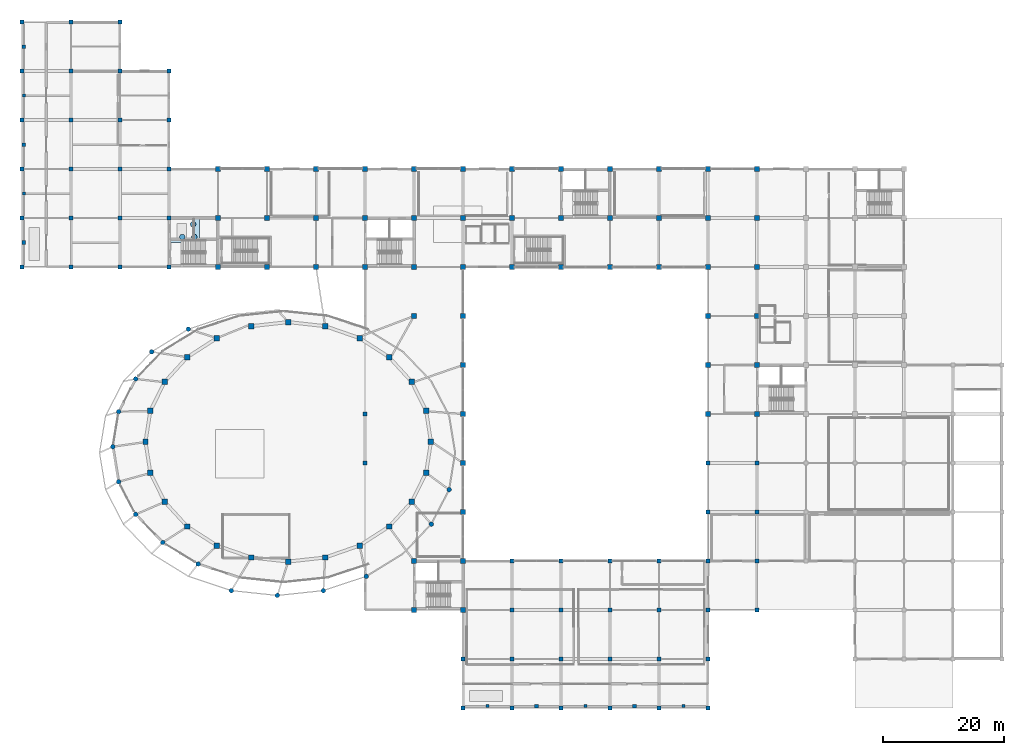
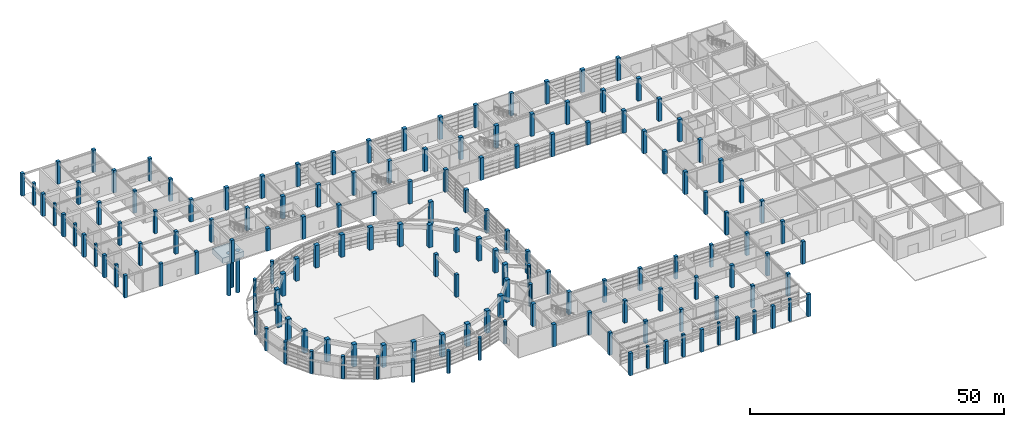
# One storey, part 1 of 52: 154 columns, 3 piles, 1 footing.
"""IFC4 building model written with IfcOpenShell, lengths in metres."""

from ifc_helpers import new_model, si_unit, direction, frame, origin, origin_2d, place, context, subcontext, project, spatial, rectangle, circle, extrude, material, material_profile, profile_set, type_object, element, save


model = new_model("IFC4")

# Units and contexts
model_context = context("Model", 3, precision=1e-05, world=origin(), true_north=direction((0.0, 1.0)))
body_context = subcontext(model_context, "Body", "Model", "MODEL_VIEW")
ifc_project = project(units=[si_unit("LENGTHUNIT", "METRE"), si_unit("AREAUNIT", "SQUARE_METRE"), si_unit("VOLUMEUNIT", "CUBIC_METRE"), si_unit("PLANEANGLEUNIT", "RADIAN"), si_unit("MASSUNIT", "GRAM", prefix="KILO")], contexts=[model_context])

# Site, building, storey
site_placement = place(None, origin())
site = spatial("IfcSite", under=ifc_project, at=site_placement, CompositionType="ELEMENT")
building_placement = place(site_placement, origin())
building = spatial("IfcBuilding", under=site, at=building_placement, Name="Parian Resonance Hall", CompositionType="ELEMENT")
storey_placement = place(building_placement, origin())
storey = spatial("IfcBuildingStorey", under=building, at=storey_placement, Name="L00", CompositionType="ELEMENT", Elevation=0.0)

# Footing
ifc_material_1 = material(Name="Concrete C35/45", Category="concrete")
footing_type = type_object("IfcFootingType", Name="PC-PIT-4800x4000", PredefinedType="PILE_CAP", material=ifc_material_1)
footing_placement = place(storey_placement, frame((26.919921875, 78.925048828125, -3.0), z_axis=(0.0, 0.0, 1.0), x_axis=(1.0, 0.0, 0.0)))
element("IfcFooting", 1, at=footing_placement, inside=storey, type_object=footing_type, Name="Lift pit pile cap K4-1", PredefinedType="PILE_CAP", context=body_context, shape_type="SweptSolid", body=[
    extrude(rectangle(XDim=4.800048828125, YDim=4.0, at=origin_2d()), origin(), (0.0, 0.0, 1.0), 1.300048828125),
])

# Piles
ifc_material_2 = material(Name="Concrete C35/45", Category="concrete")
ifc_material_profile_1 = material_profile(ifc_material_2, circle(Radius=0.449951171875, at=origin_2d()), Name="PILE-D900")
ifc_profile_set_1 = profile_set([ifc_material_profile_1], Name="Concrete C35/45")
pile_type = type_object("IfcPileType", Name="PILE-900", PredefinedType="BORED", material=ifc_profile_set_1)
for number, where, z_axis, x_axis, name in (
    (2, (26.469970703125, 77.875, -1.679931640625), (0.0, 0.0, -1.0), (1.0, 0.0, 0.0), "Lift pit bored pile K4-1-1"),
    (3, (28.469970703125, 77.875, -1.679931640625), (0.0, 0.0, -1.0), (1.0, 0.0, 0.0), "Lift pit bored pile K4-1-2"),
    (4, (28.27001953125, 79.97509765625, -1.679931640625), (0.0, 0.0, -1.0), (1.0, 0.0, 0.0), "Lift pit bored pile K4-1-3"),
):
    element("IfcPile", number, at=place(storey_placement, frame(where, z_axis=z_axis, x_axis=x_axis)), inside=storey, type_object=pile_type, Name=name, PredefinedType="BORED", context=body_context, shape_type="SweptSolid", body=[
        extrude(circle(Radius=0.449951171875, at=origin_2d()), origin(), (0.0, 0.0, 1.0), 10.0),
    ])

# Columns
ifc_material_3 = material(Name="Concrete C40/50", Category="concrete")
ifc_material_profile_2 = material_profile(ifc_material_3, rectangle(XDim=0.5, YDim=0.5, at=origin_2d()), Name="RC-COL-500x500")
ifc_profile_set_2 = profile_set([ifc_material_profile_2], Name="Concrete C40/50")
column_type_1 = type_object("IfcColumnType", Name="COL-PIL500", PredefinedType="PILASTER", material=ifc_profile_set_2)
for number, where, z_axis, x_axis, name in (
    (5, (0.300048828125, 85.050048828125, 0.0), (0.0, 0.0, 1.0), (1.0, 0.0, 0.0), "Column PIL-W-10 L00"),
    (6, (0.300048828125, 101.25, 0.0), (0.0, 0.0, 1.0), (1.0, 0.0, 0.0), "Column PIL-W-12 L00"),
    (7, (76.949951171875, 0.300048828125, 0.0), (0.0, 0.0, 1.0), (1.0, 0.0, 0.0), "Column PIL-S-09 L00"),
    (8, (93.14990234375, 0.300048828125, 0.0), (0.0, 0.0, 1.0), (1.0, 0.0, 0.0), "Column PIL-S-11 L00"),
    (9, (109.35009765625, 0.300048828125, 0.0), (0.0, 0.0, 1.0), (1.0, 0.0, 0.0), "Column PIL-S-13 L00"),
):
    element("IfcColumn", number, at=place(storey_placement, frame(where, z_axis=z_axis, x_axis=x_axis)), inside=storey, type_object=column_type_1, Name=name, PredefinedType="PILASTER", context=body_context, shape_type="SweptSolid", body=[
        extrude(rectangle(XDim=0.5, YDim=0.5, at=origin_2d()), origin(), (0.0, 0.0, 1.0), 5.39990234375),
    ])
ifc_material_4 = material(Name="Concrete C40/50", Category="concrete")
ifc_material_profile_3 = material_profile(ifc_material_4, rectangle(XDim=0.60009765625, YDim=0.60009765625, at=origin_2d()), Name="RC-COL-600x600")
ifc_profile_set_3 = profile_set([ifc_material_profile_3], Name="Concrete C40/50")
column_type_2 = type_object("IfcColumnType", Name="COL-PIL600", PredefinedType="PILASTER", material=ifc_profile_set_3)
for number, where, z_axis, x_axis, name in (
    (10, (0.300048828125, 76.949951171875, 0.0), (0.0, 0.0, 1.0), (1.0, 0.0, 0.0), "Column PIL-W-09 L00"),
    (11, (0.300048828125, 93.14990234375, 0.0), (0.0, 0.0, 1.0), (1.0, 0.0, 0.0), "Column PIL-W-11 L00"),
    (12, (0.300048828125, 109.35009765625, 0.0), (0.0, 0.0, 1.0), (1.0, 0.0, 0.0), "Column PIL-W-13 L00"),
    (13, (85.050048828125, 0.300048828125, 0.0), (0.0, 0.0, 1.0), (1.0, 0.0, 0.0), "Column PIL-S-10 L00"),
    (14, (101.25, 0.300048828125, 0.0), (0.0, 0.0, 1.0), (1.0, 0.0, 0.0), "Column PIL-S-12 L00"),
):
    element("IfcColumn", number, at=place(storey_placement, frame(where, z_axis=z_axis, x_axis=x_axis)), inside=storey, type_object=column_type_2, Name=name, PredefinedType="PILASTER", context=body_context, shape_type="SweptSolid", body=[
        extrude(rectangle(XDim=0.60009765625, YDim=0.60009765625, at=origin_2d()), origin(), (0.0, 0.0, 1.0), 5.39990234375),
    ])
ifc_material_5 = material(Name="Concrete C40/50", Category="concrete")
ifc_material_profile_4 = material_profile(ifc_material_5, rectangle(XDim=0.699951171875, YDim=0.699951171875, at=origin_2d()), Name="RC-COL-700x700")
ifc_profile_set_4 = profile_set([ifc_material_profile_4], Name="Concrete C40/50")
column_type_3 = type_object("IfcColumnType", Name="COL-RC700", PredefinedType="COLUMN", material=ifc_profile_set_4)
for number, where, z_axis, x_axis, name in (
    (15, (0.0, 72.89990234375, 0.0), (0.0, 0.0, 1.0), (1.0, 0.0, 0.0), "Column G01-10 L00"),
    (16, (0.0, 81.0, 0.0), (0.0, 0.0, 1.0), (1.0, 0.0, 0.0), "Column G01-11 L00"),
    (17, (0.0, 89.10009765625, 0.0), (0.0, 0.0, 1.0), (1.0, 0.0, 0.0), "Column G01-12 L00"),
    (18, (0.0, 97.199951171875, 0.0), (0.0, 0.0, 1.0), (1.0, 0.0, 0.0), "Column G01-13 L00"),
    (19, (0.0, 105.300048828125, 0.0), (0.0, 0.0, 1.0), (1.0, 0.0, 0.0), "Column G01-14 L00"),
    (20, (0.0, 113.39990234375, 0.0), (0.0, 0.0, 1.0), (1.0, 0.0, 0.0), "Column G01-15 L00"),
    (21, (8.10009765625, 72.89990234375, 0.0), (0.0, 0.0, 1.0), (1.0, 0.0, 0.0), "Column G02-10 L00"),
    (22, (8.10009765625, 81.0, 0.0), (0.0, 0.0, 1.0), (1.0, 0.0, 0.0), "Column G02-11 L00"),
    (23, (8.10009765625, 89.10009765625, 0.0), (0.0, 0.0, 1.0), (1.0, 0.0, 0.0), "Column G02-12 L00"),
    (24, (8.10009765625, 97.199951171875, 0.0), (0.0, 0.0, 1.0), (1.0, 0.0, 0.0), "Column G02-13 L00"),
    (25, (8.10009765625, 105.300048828125, 0.0), (0.0, 0.0, 1.0), (1.0, 0.0, 0.0), "Column G02-14 L00"),
    (26, (8.10009765625, 113.39990234375, 0.0), (0.0, 0.0, 1.0), (1.0, 0.0, 0.0), "Column G02-15 L00"),
    (27, (16.199951171875, 72.89990234375, 0.0), (0.0, 0.0, 1.0), (1.0, 0.0, 0.0), "Column G03-10 L00"),
    (28, (16.199951171875, 81.0, 0.0), (0.0, 0.0, 1.0), (1.0, 0.0, 0.0), "Column G03-11 L00"),
    (29, (16.199951171875, 89.10009765625, 0.0), (0.0, 0.0, 1.0), (1.0, 0.0, 0.0), "Column G03-12 L00"),
    (30, (16.199951171875, 97.199951171875, 0.0), (0.0, 0.0, 1.0), (1.0, 0.0, 0.0), "Column G03-13 L00"),
    (31, (16.199951171875, 105.300048828125, 0.0), (0.0, 0.0, 1.0), (1.0, 0.0, 0.0), "Column G03-14 L00"),
    (32, (16.199951171875, 113.39990234375, 0.0), (0.0, 0.0, 1.0), (1.0, 0.0, 0.0), "Column G03-15 L00"),
    (33, (24.300048828125, 72.89990234375, 0.0), (0.0, 0.0, 1.0), (1.0, 0.0, 0.0), "Column G04-10 L00"),
    (34, (24.300048828125, 81.0, 0.0), (0.0, 0.0, 1.0), (1.0, 0.0, 0.0), "Column G04-11 L00"),
    (35, (24.300048828125, 89.10009765625, 0.0), (0.0, 0.0, 1.0), (1.0, 0.0, 0.0), "Column G04-12 L00"),
    (36, (24.300048828125, 97.199951171875, 0.0), (0.0, 0.0, 1.0), (1.0, 0.0, 0.0), "Column G04-13 L00"),
    (37, (24.300048828125, 105.300048828125, 0.0), (0.0, 0.0, 1.0), (1.0, 0.0, 0.0), "Column G04-14 L00"),
    (38, (56.699951171875, 40.5, 0.0), (0.0, 0.0, 1.0), (1.0, 0.0, 0.0), "Column G08-06 L00"),
    (39, (56.699951171875, 48.60009765625, 0.0), (0.0, 0.0, 1.0), (1.0, 0.0, 0.0), "Column G08-07 L00"),
    (40, (72.89990234375, 0.0, 0.0), (0.0, 0.0, 1.0), (1.0, 0.0, 0.0), "Column G10-01 L00"),
    (41, (72.89990234375, 8.10009765625, 0.0), (0.0, 0.0, 1.0), (1.0, 0.0, 0.0), "Column G10-02 L00"),
    (42, (81.0, 0.0, 0.0), (0.0, 0.0, 1.0), (1.0, 0.0, 0.0), "Column G11-01 L00"),
    (43, (81.0, 8.10009765625, 0.0), (0.0, 0.0, 1.0), (1.0, 0.0, 0.0), "Column G11-02 L00"),
    (44, (81.0, 16.199951171875, 0.0), (0.0, 0.0, 1.0), (1.0, 0.0, 0.0), "Column G11-03 L00"),
    (45, (81.0, 24.300048828125, 0.0), (0.0, 0.0, 1.0), (1.0, 0.0, 0.0), "Column G11-04 L00"),
    (46, (89.10009765625, 0.0, 0.0), (0.0, 0.0, 1.0), (1.0, 0.0, 0.0), "Column G12-01 L00"),
    (47, (89.10009765625, 8.10009765625, 0.0), (0.0, 0.0, 1.0), (1.0, 0.0, 0.0), "Column G12-02 L00"),
    (48, (89.10009765625, 16.199951171875, 0.0), (0.0, 0.0, 1.0), (1.0, 0.0, 0.0), "Column G12-03 L00"),
    (49, (89.10009765625, 24.300048828125, 0.0), (0.0, 0.0, 1.0), (1.0, 0.0, 0.0), "Column G12-04 L00"),
    (50, (97.199951171875, 0.0, 0.0), (0.0, 0.0, 1.0), (1.0, 0.0, 0.0), "Column G13-01 L00"),
    (51, (97.199951171875, 8.10009765625, 0.0), (0.0, 0.0, 1.0), (1.0, 0.0, 0.0), "Column G13-02 L00"),
    (52, (97.199951171875, 16.199951171875, 0.0), (0.0, 0.0, 1.0), (1.0, 0.0, 0.0), "Column G13-03 L00"),
    (53, (97.199951171875, 24.300048828125, 0.0), (0.0, 0.0, 1.0), (1.0, 0.0, 0.0), "Column G13-04 L00"),
    (54, (105.300048828125, 0.0, 0.0), (0.0, 0.0, 1.0), (1.0, 0.0, 0.0), "Column G14-01 L00"),
    (55, (105.300048828125, 8.10009765625, 0.0), (0.0, 0.0, 1.0), (1.0, 0.0, 0.0), "Column G14-02 L00"),
    (56, (105.300048828125, 16.199951171875, 0.0), (0.0, 0.0, 1.0), (1.0, 0.0, 0.0), "Column G14-03 L00"),
    (57, (105.300048828125, 24.300048828125, 0.0), (0.0, 0.0, 1.0), (1.0, 0.0, 0.0), "Column G14-04 L00"),
    (58, (113.39990234375, 0.0, 0.0), (0.0, 0.0, 1.0), (1.0, 0.0, 0.0), "Column G15-01 L00"),
    (59, (113.39990234375, 8.10009765625, 0.0), (0.0, 0.0, 1.0), (1.0, 0.0, 0.0), "Column G15-02 L00"),
    (60, (113.39990234375, 16.199951171875, 0.0), (0.0, 0.0, 1.0), (1.0, 0.0, 0.0), "Column G15-03 L00"),
    (61, (113.39990234375, 24.300048828125, 0.0), (0.0, 0.0, 1.0), (1.0, 0.0, 0.0), "Column G15-04 L00"),
    (62, (113.39990234375, 32.39990234375, 0.0), (0.0, 0.0, 1.0), (1.0, 0.0, 0.0), "Column G15-05 L00"),
    (63, (113.39990234375, 40.5, 0.0), (0.0, 0.0, 1.0), (1.0, 0.0, 0.0), "Column G15-06 L00"),
    (64, (121.5, 16.199951171875, 0.0), (0.0, 0.0, 1.0), (1.0, 0.0, 0.0), "Column G16-03 L00"),
    (65, (121.5, 24.300048828125, 0.0), (0.0, 0.0, 1.0), (1.0, 0.0, 0.0), "Column G16-04 L00"),
    (66, (121.5, 32.39990234375, 0.0), (0.0, 0.0, 1.0), (1.0, 0.0, 0.0), "Column G16-05 L00"),
    (67, (121.5, 40.5, 0.0), (0.0, 0.0, 1.0), (1.0, 0.0, 0.0), "Column G16-06 L00"),
):
    element("IfcColumn", number, at=place(storey_placement, frame(where, z_axis=z_axis, x_axis=x_axis)), inside=storey, type_object=column_type_3, Name=name, PredefinedType="COLUMN", context=body_context, shape_type="SweptSolid", body=[
        extrude(rectangle(XDim=0.699951171875, YDim=0.699951171875, at=origin_2d()), origin(), (0.0, 0.0, 1.0), 5.39990234375),
    ])
ifc_material_6 = material(Name="Concrete C40/50", Category="concrete")
ifc_material_profile_5 = material_profile(ifc_material_6, rectangle(XDim=0.800048828125, YDim=0.800048828125, at=origin_2d()), Name="RC-COL-800x800")
ifc_profile_set_5 = profile_set([ifc_material_profile_5], Name="Concrete C40/50")
column_type_4 = type_object("IfcColumnType", Name="COL-RC800", PredefinedType="COLUMN", material=ifc_profile_set_5)
for number, where, z_axis, x_axis, name in (
    (68, (32.39990234375, 72.89990234375, 0.0), (0.0, 0.0, 1.0), (1.0, 0.0, 0.0), "Column G05-10 L00"),
    (69, (32.39990234375, 81.0, 0.0), (0.0, 0.0, 1.0), (1.0, 0.0, 0.0), "Column G05-11 L00"),
    (70, (32.39990234375, 89.10009765625, 0.0), (0.0, 0.0, 1.0), (1.0, 0.0, 0.0), "Column G05-12 L00"),
    (71, (40.5, 72.89990234375, 0.0), (0.0, 0.0, 1.0), (1.0, 0.0, 0.0), "Column G06-10 L00"),
    (72, (40.5, 81.0, 0.0), (0.0, 0.0, 1.0), (1.0, 0.0, 0.0), "Column G06-11 L00"),
    (73, (40.5, 89.10009765625, 0.0), (0.0, 0.0, 1.0), (1.0, 0.0, 0.0), "Column G06-12 L00"),
    (74, (48.60009765625, 72.89990234375, 0.0), (0.0, 0.0, 1.0), (1.0, 0.0, 0.0), "Column G07-10 L00"),
    (75, (48.60009765625, 81.0, 0.0), (0.0, 0.0, 1.0), (1.0, 0.0, 0.0), "Column G07-11 L00"),
    (76, (48.60009765625, 89.10009765625, 0.0), (0.0, 0.0, 1.0), (1.0, 0.0, 0.0), "Column G07-12 L00"),
    (77, (56.699951171875, 72.89990234375, 0.0), (0.0, 0.0, 1.0), (1.0, 0.0, 0.0), "Column G08-10 L00"),
    (78, (56.699951171875, 81.0, 0.0), (0.0, 0.0, 1.0), (1.0, 0.0, 0.0), "Column G08-11 L00"),
    (79, (56.699951171875, 89.10009765625, 0.0), (0.0, 0.0, 1.0), (1.0, 0.0, 0.0), "Column G08-12 L00"),
    (80, (64.800048828125, 16.199951171875, 0.0), (0.0, 0.0, 1.0), (1.0, 0.0, 0.0), "Column G09-03 L00"),
    (81, (64.800048828125, 24.300048828125, 0.0), (0.0, 0.0, 1.0), (1.0, 0.0, 0.0), "Column G09-04 L00"),
    (82, (64.800048828125, 64.800048828125, 0.0), (0.0, 0.0, 1.0), (1.0, 0.0, 0.0), "Column G09-09 L00"),
    (83, (64.800048828125, 72.89990234375, 0.0), (0.0, 0.0, 1.0), (1.0, 0.0, 0.0), "Column G09-10 L00"),
    (84, (64.800048828125, 81.0, 0.0), (0.0, 0.0, 1.0), (1.0, 0.0, 0.0), "Column G09-11 L00"),
    (85, (64.800048828125, 89.10009765625, 0.0), (0.0, 0.0, 1.0), (1.0, 0.0, 0.0), "Column G09-12 L00"),
    (86, (72.89990234375, 16.199951171875, 0.0), (0.0, 0.0, 1.0), (1.0, 0.0, 0.0), "Column G10-03 L00"),
    (87, (72.89990234375, 24.300048828125, 0.0), (0.0, 0.0, 1.0), (1.0, 0.0, 0.0), "Column G10-04 L00"),
    (88, (72.89990234375, 32.39990234375, 0.0), (0.0, 0.0, 1.0), (1.0, 0.0, 0.0), "Column G10-05 L00"),
    (89, (72.89990234375, 40.5, 0.0), (0.0, 0.0, 1.0), (1.0, 0.0, 0.0), "Column G10-06 L00"),
    (90, (72.89990234375, 48.60009765625, 0.0), (0.0, 0.0, 1.0), (1.0, 0.0, 0.0), "Column G10-07 L00"),
    (91, (72.89990234375, 56.699951171875, 0.0), (0.0, 0.0, 1.0), (1.0, 0.0, 0.0), "Column G10-08 L00"),
    (92, (72.89990234375, 64.800048828125, 0.0), (0.0, 0.0, 1.0), (1.0, 0.0, 0.0), "Column G10-09 L00"),
    (93, (72.89990234375, 72.89990234375, 0.0), (0.0, 0.0, 1.0), (1.0, 0.0, 0.0), "Column G10-10 L00"),
    (94, (72.89990234375, 81.0, 0.0), (0.0, 0.0, 1.0), (1.0, 0.0, 0.0), "Column G10-11 L00"),
    (95, (72.89990234375, 89.10009765625, 0.0), (0.0, 0.0, 1.0), (1.0, 0.0, 0.0), "Column G10-12 L00"),
    (96, (81.0, 72.89990234375, 0.0), (0.0, 0.0, 1.0), (1.0, 0.0, 0.0), "Column G11-10 L00"),
    (97, (81.0, 81.0, 0.0), (0.0, 0.0, 1.0), (1.0, 0.0, 0.0), "Column G11-11 L00"),
    (98, (81.0, 89.10009765625, 0.0), (0.0, 0.0, 1.0), (1.0, 0.0, 0.0), "Column G11-12 L00"),
    (99, (89.10009765625, 72.89990234375, 0.0), (0.0, 0.0, 1.0), (1.0, 0.0, 0.0), "Column G12-10 L00"),
    (100, (89.10009765625, 81.0, 0.0), (0.0, 0.0, 1.0), (1.0, 0.0, 0.0), "Column G12-11 L00"),
    (101, (89.10009765625, 89.10009765625, 0.0), (0.0, 0.0, 1.0), (1.0, 0.0, 0.0), "Column G12-12 L00"),
    (102, (97.199951171875, 72.89990234375, 0.0), (0.0, 0.0, 1.0), (1.0, 0.0, 0.0), "Column G13-10 L00"),
    (103, (97.199951171875, 81.0, 0.0), (0.0, 0.0, 1.0), (1.0, 0.0, 0.0), "Column G13-11 L00"),
    (104, (97.199951171875, 89.10009765625, 0.0), (0.0, 0.0, 1.0), (1.0, 0.0, 0.0), "Column G13-12 L00"),
    (105, (105.300048828125, 72.89990234375, 0.0), (0.0, 0.0, 1.0), (1.0, 0.0, 0.0), "Column G14-10 L00"),
    (106, (105.300048828125, 81.0, 0.0), (0.0, 0.0, 1.0), (1.0, 0.0, 0.0), "Column G14-11 L00"),
    (107, (105.300048828125, 89.10009765625, 0.0), (0.0, 0.0, 1.0), (1.0, 0.0, 0.0), "Column G14-12 L00"),
    (108, (113.39990234375, 48.60009765625, 0.0), (0.0, 0.0, 1.0), (1.0, 0.0, 0.0), "Column G15-07 L00"),
    (109, (113.39990234375, 56.699951171875, 0.0), (0.0, 0.0, 1.0), (1.0, 0.0, 0.0), "Column G15-08 L00"),
    (110, (113.39990234375, 64.800048828125, 0.0), (0.0, 0.0, 1.0), (1.0, 0.0, 0.0), "Column G15-09 L00"),
    (111, (113.39990234375, 72.89990234375, 0.0), (0.0, 0.0, 1.0), (1.0, 0.0, 0.0), "Column G15-10 L00"),
    (112, (113.39990234375, 81.0, 0.0), (0.0, 0.0, 1.0), (1.0, 0.0, 0.0), "Column G15-11 L00"),
    (113, (113.39990234375, 89.10009765625, 0.0), (0.0, 0.0, 1.0), (1.0, 0.0, 0.0), "Column G15-12 L00"),
    (114, (121.5, 48.60009765625, 0.0), (0.0, 0.0, 1.0), (1.0, 0.0, 0.0), "Column G16-07 L00"),
    (115, (121.5, 56.699951171875, 0.0), (0.0, 0.0, 1.0), (1.0, 0.0, 0.0), "Column G16-08 L00"),
    (116, (121.5, 64.800048828125, 0.0), (0.0, 0.0, 1.0), (1.0, 0.0, 0.0), "Column G16-09 L00"),
    (117, (121.5, 72.89990234375, 0.0), (0.0, 0.0, 1.0), (1.0, 0.0, 0.0), "Column G16-10 L00"),
    (118, (121.5, 81.0, 0.0), (0.0, 0.0, 1.0), (1.0, 0.0, 0.0), "Column G16-11 L00"),
    (119, (121.5, 89.10009765625, 0.0), (0.0, 0.0, 1.0), (1.0, 0.0, 0.0), "Column G16-12 L00"),
):
    element("IfcColumn", number, at=place(storey_placement, frame(where, z_axis=z_axis, x_axis=x_axis)), inside=storey, type_object=column_type_4, Name=name, PredefinedType="COLUMN", context=body_context, shape_type="SweptSolid", body=[
        extrude(rectangle(XDim=0.800048828125, YDim=0.800048828125, at=origin_2d()), origin(), (0.0, 0.0, 1.0), 5.39990234375),
    ])
ifc_material_7 = material(Name="Concrete C40/50", Category="concrete")
ifc_material_profile_6 = material_profile(ifc_material_7, rectangle(XDim=0.89990234375, YDim=0.89990234375, at=origin_2d()), Name="RC-COL-900x900")
ifc_profile_set_6 = profile_set([ifc_material_profile_6], Name="Concrete C40/50")
column_type_5 = type_object("IfcColumnType", Name="COL-RC900", PredefinedType="COLUMN", material=ifc_profile_set_6)
for number, where, z_axis, x_axis, name in (
    (120, (67.60009765625, 44.0, 0.0), (0.0, 0.0, 1.0), (1.0, 0.0, 0.0), "Column DRM-01 L00"),
    (121, (66.7958984375, 49.12451171875, 0.0), (0.0, 0.0, 1.0), (1.0, 0.0, 0.0), "Column DRM-02 L00"),
    (122, (64.438232421875, 53.89990234375, 0.0), (0.0, 0.0, 1.0), (1.0, 0.0, 0.0), "Column DRM-03 L00"),
    (123, (60.687744140625, 58.000732421875, 0.0), (0.0, 0.0, 1.0), (1.0, 0.0, 0.0), "Column DRM-04 L00"),
    (124, (55.800048828125, 61.147216796875, 0.0), (0.0, 0.0, 1.0), (1.0, 0.0, 0.0), "Column DRM-05 L00"),
    (125, (50.108154296875, 63.125244140625, 0.0), (0.0, 0.0, 1.0), (1.0, 0.0, 0.0), "Column DRM-06 L00"),
    (126, (44.0, 63.800048828125, 0.0), (0.0, 0.0, 1.0), (1.0, 0.0, 0.0), "Column DRM-07 L00"),
    (127, (37.891845703125, 63.125244140625, 0.0), (0.0, 0.0, 1.0), (1.0, 0.0, 0.0), "Column DRM-08 L00"),
    (128, (32.199951171875, 61.147216796875, 0.0), (0.0, 0.0, 1.0), (1.0, 0.0, 0.0), "Column DRM-09 L00"),
    (129, (27.312255859375, 58.000732421875, 0.0), (0.0, 0.0, 1.0), (1.0, 0.0, 0.0), "Column DRM-10 L00"),
    (130, (23.561767578125, 53.89990234375, 0.0), (0.0, 0.0, 1.0), (1.0, 0.0, 0.0), "Column DRM-11 L00"),
    (131, (21.2041015625, 49.12451171875, 0.0), (0.0, 0.0, 1.0), (1.0, 0.0, 0.0), "Column DRM-12 L00"),
    (132, (20.39990234375, 44.0, 0.0), (0.0, 0.0, 1.0), (1.0, 0.0, 0.0), "Column DRM-13 L00"),
    (133, (21.2041015625, 38.87548828125, 0.0), (0.0, 0.0, 1.0), (1.0, 0.0, 0.0), "Column DRM-14 L00"),
    (134, (23.561767578125, 34.10009765625, 0.0), (0.0, 0.0, 1.0), (1.0, 0.0, 0.0), "Column DRM-15 L00"),
    (135, (27.312255859375, 29.999267578125, 0.0), (0.0, 0.0, 1.0), (1.0, 0.0, 0.0), "Column DRM-16 L00"),
    (136, (32.199951171875, 26.852783203125, 0.0), (0.0, 0.0, 1.0), (1.0, 0.0, 0.0), "Column DRM-17 L00"),
    (137, (37.891845703125, 24.874755859375, 0.0), (0.0, 0.0, 1.0), (1.0, 0.0, 0.0), "Column DRM-18 L00"),
    (138, (44.0, 24.199951171875, 0.0), (0.0, 0.0, 1.0), (1.0, 0.0, 0.0), "Column DRM-19 L00"),
    (139, (50.108154296875, 24.874755859375, 0.0), (0.0, 0.0, 1.0), (1.0, 0.0, 0.0), "Column DRM-20 L00"),
    (140, (55.800048828125, 26.852783203125, 0.0), (0.0, 0.0, 1.0), (1.0, 0.0, 0.0), "Column DRM-21 L00"),
    (141, (60.687744140625, 29.999267578125, 0.0), (0.0, 0.0, 1.0), (1.0, 0.0, 0.0), "Column DRM-22 L00"),
    (142, (64.438232421875, 34.10009765625, 0.0), (0.0, 0.0, 1.0), (1.0, 0.0, 0.0), "Column DRM-23 L00"),
    (143, (66.7958984375, 38.87548828125, 0.0), (0.0, 0.0, 1.0), (1.0, 0.0, 0.0), "Column DRM-24 L00"),
):
    element("IfcColumn", number, at=place(storey_placement, frame(where, z_axis=z_axis, x_axis=x_axis)), inside=storey, type_object=column_type_5, Name=name, PredefinedType="COLUMN", context=body_context, shape_type="SweptSolid", body=[
        extrude(rectangle(XDim=0.89990234375, YDim=0.89990234375, at=origin_2d()), origin(), (0.0, 0.0, 1.0), 5.39990234375),
    ])
ifc_material_8 = material(Name="Concrete C40/50", Category="concrete")
ifc_material_profile_7 = material_profile(ifc_material_8, circle(Radius=0.375, at=origin_2d()), Name="RC-COL-D750")
ifc_profile_set_7 = profile_set([ifc_material_profile_7], Name="Concrete C40/50")
column_type_6 = type_object("IfcColumnType", Name="COL-RCD750", PredefinedType="COLUMN", material=ifc_profile_set_7)
for number, where, z_axis, x_axis, name in (
    (144, (27.5, 62.63818359375, 0.0), (0.0, 0.0, 1.0), (1.0, 0.0, 0.0), "Column RNG-09 L00"),
    (145, (21.4111328125, 58.8876953125, 0.0), (0.0, 0.0, 1.0), (1.0, 0.0, 0.0), "Column RNG-10 L00"),
    (146, (18.778076171875, 54.39990234375, 0.0), (0.0, 0.0, 1.0), (1.0, 0.0, 0.0), "Column RNG-11 L00"),
    (147, (15.9609375, 48.99755859375, 0.0), (0.0, 0.0, 1.0), (1.0, 0.0, 0.0), "Column RNG-12 L00"),
    (148, (15.0, 43.199951171875, 0.0), (0.0, 0.0, 1.0), (1.0, 0.0, 0.0), "Column RNG-13 L00"),
    (149, (15.9609375, 37.402587890625, 0.0), (0.0, 0.0, 1.0), (1.0, 0.0, 0.0), "Column RNG-14 L00"),
    (150, (18.778076171875, 32.0, 0.0), (0.0, 0.0, 1.0), (1.0, 0.0, 0.0), "Column RNG-15 L00"),
    (151, (23.259521484375, 27.36083984375, 0.0), (0.0, 0.0, 1.0), (1.0, 0.0, 0.0), "Column RNG-16 L00"),
    (152, (29.10009765625, 23.801025390625, 0.0), (0.0, 0.0, 1.0), (1.0, 0.0, 0.0), "Column RNG-17 L00"),
    (153, (34.5908203125, 19.404296875, 0.0), (0.0, 0.0, 1.0), (1.0, 0.0, 0.0), "Column RNG-18 L00"),
    (154, (42.199951171875, 18.60009765625, 0.0), (0.0, 0.0, 1.0), (1.0, 0.0, 0.0), "Column RNG-19 L00"),
    (155, (49.809326171875, 19.404296875, 0.0), (0.0, 0.0, 1.0), (1.0, 0.0, 0.0), "Column RNG-20 L00"),
    (156, (56.89990234375, 21.76171875, 0.0), (0.0, 0.0, 1.0), (1.0, 0.0, 0.0), "Column RNG-21 L00"),
    (157, (67.6611328125, 30.39990234375, 0.0), (0.0, 0.0, 1.0), (1.0, 0.0, 0.0), "Column RNG-23 L00"),
    (158, (70.59814453125, 36.091796875, 0.0), (0.0, 0.0, 1.0), (1.0, 0.0, 0.0), "Column RNG-24 L00"),
):
    element("IfcColumn", number, at=place(storey_placement, frame(where, z_axis=z_axis, x_axis=x_axis)), inside=storey, type_object=column_type_6, Name=name, PredefinedType="COLUMN", context=body_context, shape_type="SweptSolid", body=[
        extrude(circle(Radius=0.375, at=origin_2d()), origin(), (0.0, 0.0, 1.0), 5.39990234375),
    ])

save(model, "model.ifc")
